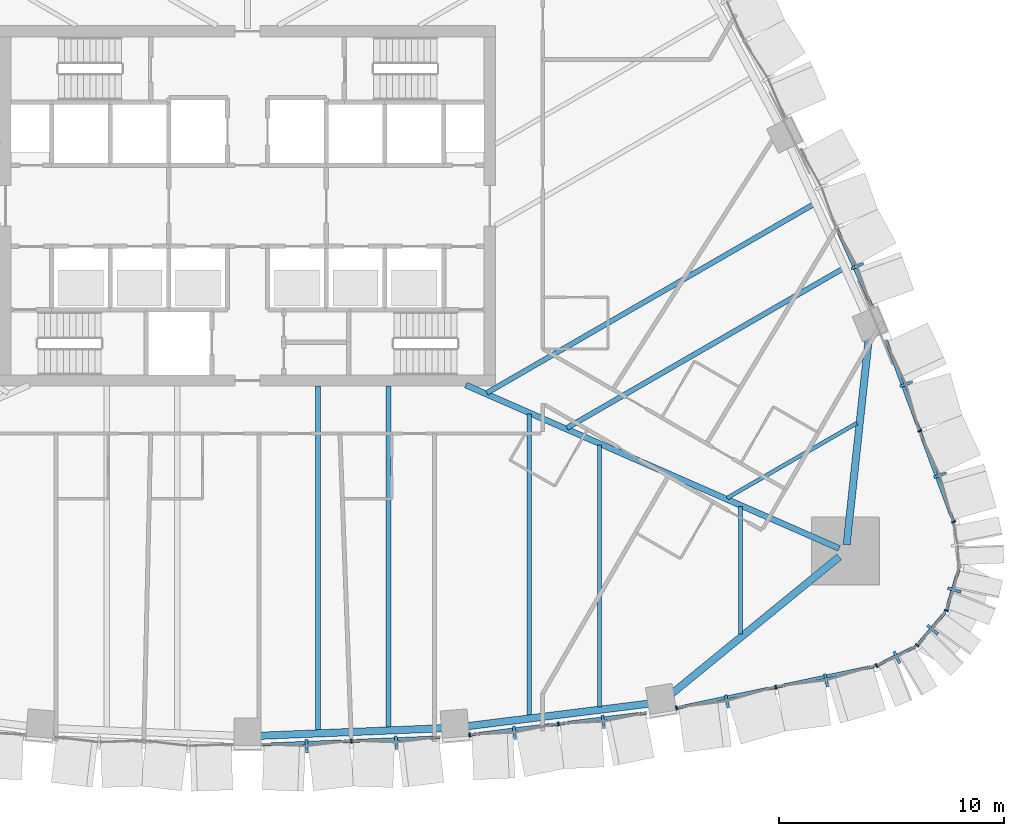
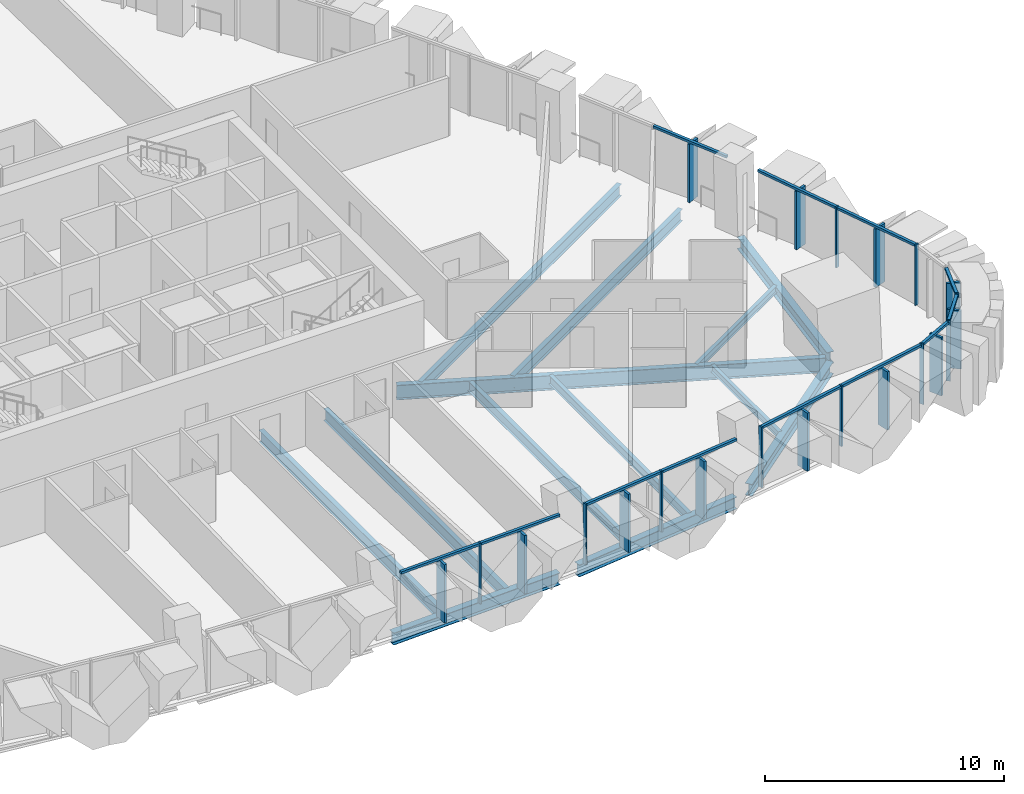
# One storey, part 4 of 23: 34 members, 13 beams, 8 elements without a shape of their own.
"""IFC4 building model written with IfcOpenShell, lengths in metres."""

from ifc_helpers import new_model, si_unit, direction, frame, origin, origin_2d, place, context, subcontext, project, spatial, rectangle, i_section, extrude, material, layer, layer_set, material_profile, profile_set, type_object, element, aggregate, save


model = new_model("IFC4")

# Units and contexts
model_context = context("Model", 3, precision=1e-05, world=origin(), true_north=direction((0.0, 1.0)))
body_context = subcontext(model_context, "Body", "Model", "MODEL_VIEW")
ifc_project = project(units=[si_unit("LENGTHUNIT", "METRE"), si_unit("AREAUNIT", "SQUARE_METRE"), si_unit("VOLUMEUNIT", "CUBIC_METRE"), si_unit("PLANEANGLEUNIT", "RADIAN"), si_unit("MASSUNIT", "GRAM", prefix="KILO")], contexts=[model_context])

# Site, building, storey
site_placement = place(None, origin())
site = spatial("IfcSite", under=ifc_project, at=site_placement, CompositionType="ELEMENT")
building_placement = place(site_placement, origin())
building = spatial("IfcBuilding", under=site, at=building_placement, Name="Sierra Prisma Convention Tower", CompositionType="ELEMENT")
storey_placement = place(building_placement, frame((0.0, 0.0, 70.199951171875)))
storey = spatial("IfcBuildingStorey", under=building, at=storey_placement, Name="L13", CompositionType="ELEMENT", Elevation=70.199951171875)

# Curtain wall, members
ifc_material_1 = material(Name="Aluminium and glass curtain wall", Category="aluminium")
ifc_layer = layer(ifc_material_1, 0.179931640625)
ifc_layer_set = layer_set([ifc_layer], Name="CW-2 Faceted crystal curtain wall")
curtain_wall_type = type_object("IfcCurtainWallType", Name="CW-2 Faceted crystal curtain wall", PredefinedType="NOTDEFINED", material=ifc_layer_set)
curtain_wall_1_placement = place(storey_placement, origin())
curtain_wall_1 = element("IfcCurtainWall", 1, at=curtain_wall_1_placement, inside=storey, type_object=curtain_wall_type, Name="CW-2 S4 L13", PredefinedType="NOTDEFINED")
ifc_material_2 = material(Name="Aluminium 6063-T6 bronze anodised", Category="aluminium")
ifc_material_profile_1 = material_profile(ifc_material_2, rectangle(XDim=0.1201171875, YDim=0.60009765625, at=origin_2d()), Name="ALU RIDGE BLADE 120x600")
ifc_profile_set_1 = profile_set([ifc_material_profile_1], Name="Aluminium 6063-T6 bronze anodised")
member_type_1 = type_object("IfcMemberType", Name="CW hip bronze", PredefinedType="MULLION", material=ifc_profile_set_1)
member_1_placement = place(storey_placement, frame((2.625244140625, -23.990478515625, 0.0), z_axis=(0.0, 0.0, 1.0), x_axis=(0.999158035342, 0.041027069244, 0.0)))
member_1 = element("IfcMember", 2, at=member_1_placement, type_object=member_type_1, Name="CW-2 ridge S4.1", PredefinedType="MULLION", context=body_context, shape_type="SweptSolid", body=[
    extrude(rectangle(XDim=0.1201171875, YDim=0.60009765625, at=origin_2d()), origin(), (0.0, 0.0, 1.0), 2.97998046875),
])
member_2_placement = place(storey_placement, frame((6.59423828125, -23.827392578125, 0.0), z_axis=(0.0, 0.0, 1.0), x_axis=(0.999158035342, 0.041027069244, 0.0)))
member_2 = element("IfcMember", 3, at=member_2_placement, type_object=member_type_1, Name="CW-2 ridge S4.2", PredefinedType="MULLION", context=body_context, shape_type="SweptSolid", body=[
    extrude(rectangle(XDim=0.1201171875, YDim=0.60009765625, at=origin_2d()), origin(), (0.0, 0.0, 1.0), 2.97998046875),
])

curtain_wall_2_placement = place(storey_placement, origin())
curtain_wall_2 = element("IfcCurtainWall", 4, at=curtain_wall_2_placement, inside=storey, type_object=curtain_wall_type, Name="CW-2 S5 L13", PredefinedType="NOTDEFINED")
member_3_placement = place(storey_placement, frame((11.845703125, -23.39453125, 0.0), z_axis=(0.0, 0.0, 1.0), x_axis=(0.992418741832, 0.122902566531, 0.0)))
member_3 = element("IfcMember", 5, at=member_3_placement, type_object=member_type_1, Name="CW-2 ridge S5.1", PredefinedType="MULLION", context=body_context, shape_type="SweptSolid", body=[
    extrude(rectangle(XDim=0.1201171875, YDim=0.60009765625, at=origin_2d()), origin(), (0.0, 0.0, 1.0), 2.97998046875),
])
member_4_placement = place(storey_placement, frame((15.7900390625, -22.906005859375, 0.0), z_axis=(0.0, 0.0, 1.0), x_axis=(0.992418741832, 0.122902566531, 0.0)))
member_4 = element("IfcMember", 6, at=member_4_placement, type_object=member_type_1, Name="CW-2 ridge S5.2", PredefinedType="MULLION", context=body_context, shape_type="SweptSolid", body=[
    extrude(rectangle(XDim=0.1201171875, YDim=0.60009765625, at=origin_2d()), origin(), (0.0, 0.0, 1.0), 2.97998046875),
])

curtain_wall_3_placement = place(storey_placement, origin())
curtain_wall_3 = element("IfcCurtainWall", 7, at=curtain_wall_3_placement, inside=storey, type_object=curtain_wall_type, Name="CW-2 S6 L13", PredefinedType="NOTDEFINED")
member_5_placement = place(storey_placement, frame((21.281494140625, -21.996826171875, 0.0), z_axis=(0.0, 0.0, 1.0), x_axis=(0.978513494972, 0.20618278337, 0.0)))
member_5 = element("IfcMember", 8, at=member_5_placement, type_object=member_type_1, Name="CW-2 ridge S6.1", PredefinedType="MULLION", context=body_context, shape_type="SweptSolid", body=[
    extrude(rectangle(XDim=0.1201171875, YDim=0.60009765625, at=origin_2d()), origin(), (0.0, 0.0, 1.0), 2.97998046875),
])
member_6_placement = place(storey_placement, frame((25.689208984375, -21.068115234375, 0.0), z_axis=(0.0, 0.0, 1.0), x_axis=(0.978513494972, 0.20618278337, 0.0)))
member_6 = element("IfcMember", 9, at=member_6_placement, type_object=member_type_1, Name="CW-2 ridge S6.2", PredefinedType="MULLION", context=body_context, shape_type="SweptSolid", body=[
    extrude(rectangle(XDim=0.1201171875, YDim=0.60009765625, at=origin_2d()), origin(), (0.0, 0.0, 1.0), 2.97998046875),
])

# Curtain wall, member
curtain_wall_4_placement = place(storey_placement, origin())
curtain_wall_4 = element("IfcCurtainWall", 10, at=curtain_wall_4_placement, inside=storey, type_object=curtain_wall_type, Name="CW-2 SE1 L13", PredefinedType="NOTDEFINED")
member_7_placement = place(storey_placement, frame((28.829833984375, -20.04736328125, 0.0), z_axis=(0.0, 0.0, 1.0), x_axis=(0.897676892997, 0.440654281471, 0.0)))
member_7 = element("IfcMember", 11, at=member_7_placement, type_object=member_type_1, Name="CW-2 ridge SE1.1", PredefinedType="MULLION", context=body_context, shape_type="SweptSolid", body=[
    extrude(rectangle(XDim=0.1201171875, YDim=0.60009765625, at=origin_2d()), origin(), (0.0, 0.0, 1.0), 2.97998046875),
])

curtain_wall_5_placement = place(storey_placement, origin())
curtain_wall_5 = element("IfcCurtainWall", 12, at=curtain_wall_5_placement, inside=storey, type_object=curtain_wall_type, Name="CW-2 SE2 L13", PredefinedType="NOTDEFINED")
member_8_placement = place(storey_placement, frame((30.41259765625, -18.814697265625, 0.0), z_axis=(0.0, 0.0, 1.0), x_axis=(0.647120431061, 0.762387793517, 0.0)))
member_8 = element("IfcMember", 13, at=member_8_placement, type_object=member_type_1, Name="CW-2 ridge SE2.1", PredefinedType="MULLION", context=body_context, shape_type="SweptSolid", body=[
    extrude(rectangle(XDim=0.1201171875, YDim=0.60009765625, at=origin_2d()), origin(), (0.0, 0.0, 1.0), 2.97998046875),
])

curtain_wall_6_placement = place(storey_placement, origin())
curtain_wall_6 = element("IfcCurtainWall", 14, at=curtain_wall_6_placement, inside=storey, type_object=curtain_wall_type, Name="CW-2 SE3 L13", PredefinedType="NOTDEFINED")
member_9_placement = place(storey_placement, frame((31.371826171875, -17.052490234375, 0.0), z_axis=(0.0, 0.0, 1.0), x_axis=(0.288953669799, 0.957343082029, 0.0)))
member_9 = element("IfcMember", 15, at=member_9_placement, type_object=member_type_1, Name="CW-2 ridge SE3.1", PredefinedType="MULLION", context=body_context, shape_type="SweptSolid", body=[
    extrude(rectangle(XDim=0.1201171875, YDim=0.60009765625, at=origin_2d()), origin(), (0.0, 0.0, 1.0), 2.97998046875),
])

# Curtain wall, members
curtain_wall_7_placement = place(storey_placement, origin())
curtain_wall_7 = element("IfcCurtainWall", 16, at=curtain_wall_7_placement, inside=storey, type_object=curtain_wall_type, Name="CW-2 NE1 L13", PredefinedType="NOTDEFINED")
member_10_placement = place(storey_placement, frame((30.748779296875, -11.948974609375, 0.0), z_axis=(0.0, 0.0, 1.0), x_axis=(-0.348650145071, 0.937252941496, 0.0)))
member_10 = element("IfcMember", 17, at=member_10_placement, type_object=member_type_1, Name="CW-2 ridge NE1.1", PredefinedType="MULLION", context=body_context, shape_type="SweptSolid", body=[
    extrude(rectangle(XDim=0.1201171875, YDim=0.60009765625, at=origin_2d()), origin(), (0.0, 0.0, 1.0), 2.97998046875),
])
member_11_placement = place(storey_placement, frame((29.24560546875, -7.90869140625, 0.0), z_axis=(0.0, 0.0, 1.0), x_axis=(-0.348650145071, 0.937252941496, 0.0)))
member_11 = element("IfcMember", 18, at=member_11_placement, type_object=member_type_1, Name="CW-2 ridge NE1.2", PredefinedType="MULLION", context=body_context, shape_type="SweptSolid", body=[
    extrude(rectangle(XDim=0.1201171875, YDim=0.60009765625, at=origin_2d()), origin(), (0.0, 0.0, 1.0), 2.97998046875),
])

# Curtain wall, member
curtain_wall_8_placement = place(storey_placement, origin())
curtain_wall_8 = element("IfcCurtainWall", 19, at=curtain_wall_8_placement, inside=storey, type_object=curtain_wall_type, Name="CW-2 NE2 L13", PredefinedType="NOTDEFINED")
member_12_placement = place(storey_placement, frame((27.07275390625, -2.668212890625, 0.0), z_axis=(0.0, 0.0, 1.0), x_axis=(-0.410184231176, 0.912002684478, 0.0)))
member_12 = element("IfcMember", 20, at=member_12_placement, type_object=member_type_1, Name="CW-2 ridge NE2.1", PredefinedType="MULLION", context=body_context, shape_type="SweptSolid", body=[
    extrude(rectangle(XDim=0.1201171875, YDim=0.60009765625, at=origin_2d()), origin(), (0.0, 0.0, 1.0), 2.97998046875),
])

# Member
ifc_material_3 = material(Name="Aluminium 6063-T6 bronze anodised", Category="aluminium")
ifc_material_profile_2 = material_profile(ifc_material_3, rectangle(XDim=0.179931640625, YDim=0.070068359375, at=origin_2d()), Name="ALU MULLION 70x180")
ifc_profile_set_2 = profile_set([ifc_material_profile_2], Name="Aluminium 6063-T6 bronze anodised")
member_type_2 = type_object("IfcMemberType", Name="CW mullion bronze", PredefinedType="MULLION", material=ifc_profile_set_2)
member_13_placement = place(storey_placement, frame((4.603515625, -23.755615234375, 0.0), z_axis=(0.0, 0.0, 1.0), x_axis=(-0.041027069244, 0.999158035342, 0.0)))
member_13 = element("IfcMember", 21, at=member_13_placement, type_object=member_type_2, Name="CW-1 mullion S4.2", PredefinedType="MULLION", context=body_context, shape_type="SweptSolid", body=[
    extrude(rectangle(XDim=0.179931640625, YDim=0.070068359375, at=origin_2d()), origin(), (0.0, 0.0, 1.0), 3.10009765625),
])

member_14_placement = place(storey_placement, frame((9.854736328125, -23.486328125, 0.0), z_axis=(0.0, 0.0, 1.0), x_axis=(-0.122902566531, 0.992418741832, 0.0)))
member_14 = element("IfcMember", 22, at=member_14_placement, type_object=member_type_2, Name="CW-1 mullion S5.1", PredefinedType="MULLION", context=body_context, shape_type="SweptSolid", body=[
    extrude(rectangle(XDim=0.179931640625, YDim=0.070068359375, at=origin_2d()), origin(), (0.0, 0.0, 1.0), 3.10009765625),
])

member_15_placement = place(storey_placement, frame((13.799072265625, -22.997802734375, 0.0), z_axis=(0.0, 0.0, 1.0), x_axis=(-0.122902566531, 0.992418741832, 0.0)))
member_15 = element("IfcMember", 23, at=member_15_placement, type_object=member_type_2, Name="CW-1 mullion S5.2", PredefinedType="MULLION", context=body_context, shape_type="SweptSolid", body=[
    extrude(rectangle(XDim=0.179931640625, YDim=0.070068359375, at=origin_2d()), origin(), (0.0, 0.0, 1.0), 3.10009765625),
])

member_16_placement = place(storey_placement, frame((19.041748046875, -22.29052734375, 0.0), z_axis=(0.0, 0.0, 1.0), x_axis=(-0.20618278337, 0.978513494972, 0.0)))
member_16 = element("IfcMember", 24, at=member_16_placement, type_object=member_type_2, Name="CW-1 mullion S6.1", PredefinedType="MULLION", context=body_context, shape_type="SweptSolid", body=[
    extrude(rectangle(XDim=0.179931640625, YDim=0.070068359375, at=origin_2d()), origin(), (0.0, 0.0, 1.0), 3.10009765625),
])

member_17_placement = place(storey_placement, frame((23.449462890625, -21.36181640625, 0.0), z_axis=(0.0, 0.0, 1.0), x_axis=(-0.20618278337, 0.978513494972, 0.0)))
member_17 = element("IfcMember", 25, at=member_17_placement, type_object=member_type_2, Name="CW-1 mullion S6.2", PredefinedType="MULLION", context=body_context, shape_type="SweptSolid", body=[
    extrude(rectangle(XDim=0.179931640625, YDim=0.070068359375, at=origin_2d()), origin(), (0.0, 0.0, 1.0), 3.10009765625),
])

member_18_placement = place(storey_placement, frame((27.922607421875, -20.410400390625, 0.0), z_axis=(0.0, 0.0, 1.0), x_axis=(-0.440654281471, 0.897676892997, 0.0)))
member_18 = element("IfcMember", 26, at=member_18_placement, type_object=member_type_2, Name="CW-1 mullion SE1.1", PredefinedType="MULLION", context=body_context, shape_type="SweptSolid", body=[
    extrude(rectangle(XDim=0.179931640625, YDim=0.070068359375, at=origin_2d()), origin(), (0.0, 0.0, 1.0), 3.10009765625),
])

member_19_placement = place(storey_placement, frame((29.725830078125, -19.509765625, 0.0), z_axis=(0.0, 0.0, 1.0), x_axis=(-0.762387793517, 0.647120431061, 0.0)))
member_19 = element("IfcMember", 27, at=member_19_placement, type_object=member_type_2, Name="CW-1 mullion SE2.1", PredefinedType="MULLION", context=body_context, shape_type="SweptSolid", body=[
    extrude(rectangle(XDim=0.179931640625, YDim=0.070068359375, at=origin_2d()), origin(), (0.0, 0.0, 1.0), 3.10009765625),
])

member_20_placement = place(storey_placement, frame((31.01953125, -17.9638671875, 0.0), z_axis=(0.0, 0.0, 1.0), x_axis=(-0.957343082029, 0.288953669799, 0.0)))
member_20 = element("IfcMember", 28, at=member_20_placement, type_object=member_type_2, Name="CW-1 mullion SE3.1", PredefinedType="MULLION", context=body_context, shape_type="SweptSolid", body=[
    extrude(rectangle(XDim=0.179931640625, YDim=0.070068359375, at=origin_2d()), origin(), (0.0, 0.0, 1.0), 3.10009765625),
])

member_21_placement = place(storey_placement, frame((31.34375, -14.027587890625, 0.0), z_axis=(0.0, 0.0, 1.0), x_axis=(-0.937252941496, -0.348650145071, 0.0)))
member_21 = element("IfcMember", 29, at=member_21_placement, type_object=member_type_2, Name="CW-1 mullion NE1.1", PredefinedType="MULLION", context=body_context, shape_type="SweptSolid", body=[
    extrude(rectangle(XDim=0.179931640625, YDim=0.070068359375, at=origin_2d()), origin(), (0.0, 0.0, 1.0), 3.10009765625),
])

member_22_placement = place(storey_placement, frame((29.8408203125, -9.987060546875, 0.0), z_axis=(0.0, 0.0, 1.0), x_axis=(-0.937252941496, -0.348650145071, 0.0)))
member_22 = element("IfcMember", 30, at=member_22_placement, type_object=member_type_2, Name="CW-1 mullion NE1.2", PredefinedType="MULLION", context=body_context, shape_type="SweptSolid", body=[
    extrude(rectangle(XDim=0.179931640625, YDim=0.070068359375, at=origin_2d()), origin(), (0.0, 0.0, 1.0), 3.10009765625),
])

ifc_material_4 = material(Name="Aluminium 6063-T6 bronze anodised", Category="aluminium")
ifc_material_profile_3 = material_profile(ifc_material_4, rectangle(XDim=0.139892578125, YDim=0.1201171875, at=origin_2d()), Name="ALU TRANSOM 120x140")
ifc_profile_set_3 = profile_set([ifc_material_profile_3], Name="Aluminium 6063-T6 bronze anodised")
member_type_3 = type_object("IfcMemberType", Name="CW transom bronze", PredefinedType="USERDEFINED", material=ifc_profile_set_3)
member_23_placement = place(storey_placement, frame((0.66943359375, -23.9169921875, 3.0400390625), z_axis=(0.999159969079, 0.040979948638, 0.0), x_axis=(-0.040979948638, 0.999159969079, 0.0)))
member_23 = element("IfcMember", 31, at=member_23_placement, type_object=member_type_3, Name="CW-1 transom S4.1", ObjectType="TRANSOM", PredefinedType="USERDEFINED", context=body_context, shape_type="SweptSolid", body=[
    extrude(rectangle(XDim=0.139892578125, YDim=0.1201171875, at=origin_2d()), origin(), (0.0, 0.0, 1.0), 3.902099609375),
])

member_24_placement = place(storey_placement, frame((4.638427734375, -23.754150390625, 3.0400390625), z_axis=(0.999157405384, 0.041042408136, 0.0), x_axis=(-0.041042408136, 0.999157405384, 0.0)))
member_24 = element("IfcMember", 32, at=member_24_placement, type_object=member_type_3, Name="CW-1 transom S4.2", ObjectType="TRANSOM", PredefinedType="USERDEFINED", context=body_context, shape_type="SweptSolid", body=[
    extrude(rectangle(XDim=0.139892578125, YDim=0.1201171875, at=origin_2d()), origin(), (0.0, 0.0, 1.0), 3.902099609375),
])

aggregate(curtain_wall_1, [member_13, member_23, member_1, member_24, member_2])

member_25_placement = place(storey_placement, frame((9.8896484375, -23.48193359375, 3.0400390625), z_axis=(0.992421515352, 0.122880168725, 0.0), x_axis=(-0.122880168725, 0.992421515352, 0.0)))
member_25 = element("IfcMember", 33, at=member_25_placement, type_object=member_type_3, Name="CW-1 transom S5.1", ObjectType="TRANSOM", PredefinedType="USERDEFINED", context=body_context, shape_type="SweptSolid", body=[
    extrude(rectangle(XDim=0.139892578125, YDim=0.1201171875, at=origin_2d()), origin(), (0.0, 0.0, 1.0), 3.904052734375),
])

member_26_placement = place(storey_placement, frame((13.833740234375, -22.993408203125, 3.0400390625), z_axis=(0.992422459505, 0.122872543187, 0.0), x_axis=(-0.122872543187, 0.992422459505, 0.0)))
member_26 = element("IfcMember", 34, at=member_26_placement, type_object=member_type_3, Name="CW-1 transom S5.2", ObjectType="TRANSOM", PredefinedType="USERDEFINED", context=body_context, shape_type="SweptSolid", body=[
    extrude(rectangle(XDim=0.139892578125, YDim=0.1201171875, at=origin_2d()), origin(), (0.0, 0.0, 1.0), 3.904296875),
])

aggregate(curtain_wall_2, [member_14, member_15, member_25, member_3, member_26, member_4])

member_27_placement = place(storey_placement, frame((19.075927734375, -22.283203125, 3.0400390625), z_axis=(0.978512967914, 0.206185284692, 0.0), x_axis=(-0.206185284692, 0.978512967914, 0.0)))
member_27 = element("IfcMember", 35, at=member_27_placement, type_object=member_type_3, Name="CW-1 transom S6.1", ObjectType="TRANSOM", PredefinedType="USERDEFINED", context=body_context, shape_type="SweptSolid", body=[
    extrude(rectangle(XDim=0.139892578125, YDim=0.1201171875, at=origin_2d()), origin(), (0.0, 0.0, 1.0), 4.434326171875),
])

member_28_placement = place(storey_placement, frame((23.483642578125, -21.3544921875, 3.0400390625), z_axis=(0.978512967914, 0.206185284692, 0.0), x_axis=(-0.206185284692, 0.978512967914, 0.0)))
member_28 = element("IfcMember", 36, at=member_28_placement, type_object=member_type_3, Name="CW-1 transom S6.2", ObjectType="TRANSOM", PredefinedType="USERDEFINED", context=body_context, shape_type="SweptSolid", body=[
    extrude(rectangle(XDim=0.139892578125, YDim=0.1201171875, at=origin_2d()), origin(), (0.0, 0.0, 1.0), 4.434326171875),
])

aggregate(curtain_wall_3, [member_16, member_17, member_27, member_5, member_28, member_6])

member_29_placement = place(storey_placement, frame((27.9541015625, -20.39501953125, 3.0400390625), z_axis=(0.89765265429, 0.440703655812, 0.0), x_axis=(-0.440703655812, 0.89765265429, 0.0)))
member_29 = element("IfcMember", 37, at=member_29_placement, type_object=member_type_3, Name="CW-1 transom SE1.1", ObjectType="TRANSOM", PredefinedType="USERDEFINED", context=body_context, shape_type="SweptSolid", body=[
    extrude(rectangle(XDim=0.139892578125, YDim=0.1201171875, at=origin_2d()), origin(), (0.0, 0.0, 1.0), 1.878662109375),
])

aggregate(curtain_wall_4, [member_18, member_29, member_7])

member_30_placement = place(storey_placement, frame((29.74853515625, -19.48291015625, 3.0400390625), z_axis=(0.647112541311, 0.762394490325, 0.0), x_axis=(-0.762394490325, 0.647112541311, 0.0)))
member_30 = element("IfcMember", 38, at=member_30_placement, type_object=member_type_3, Name="CW-1 transom SE2.1", ObjectType="TRANSOM", PredefinedType="USERDEFINED", context=body_context, shape_type="SweptSolid", body=[
    extrude(rectangle(XDim=0.139892578125, YDim=0.1201171875, at=origin_2d()), origin(), (0.0, 0.0, 1.0), 1.87841796875),
])

aggregate(curtain_wall_5, [member_19, member_30, member_8])

member_31_placement = place(storey_placement, frame((31.02978515625, -17.930419921875, 3.0400390625), z_axis=(0.288921436027, 0.957352810516, 0.0), x_axis=(-0.957352810516, 0.288921436027, 0.0)))
member_31 = element("IfcMember", 39, at=member_31_placement, type_object=member_type_3, Name="CW-1 transom SE3.1", ObjectType="TRANSOM", PredefinedType="USERDEFINED", context=body_context, shape_type="SweptSolid", body=[
    extrude(rectangle(XDim=0.139892578125, YDim=0.1201171875, at=origin_2d()), origin(), (0.0, 0.0, 1.0), 1.87841796875),
])

aggregate(curtain_wall_6, [member_20, member_31, member_9])

member_32_placement = place(storey_placement, frame((31.33154296875, -13.99462890625, 3.0400390625), z_axis=(-0.348630224707, 0.937260351461, 0.0), x_axis=(-0.937260351461, -0.348630224707, 0.0)))
member_32 = element("IfcMember", 40, at=member_32_placement, type_object=member_type_3, Name="CW-1 transom NE1.1", ObjectType="TRANSOM", PredefinedType="USERDEFINED", context=body_context, shape_type="SweptSolid", body=[
    extrude(rectangle(XDim=0.139892578125, YDim=0.1201171875, at=origin_2d()), origin(), (0.0, 0.0, 1.0), 4.240966796875),
])

member_33_placement = place(storey_placement, frame((29.82861328125, -9.9541015625, 3.0400390625), z_axis=(-0.348680793965, 0.937241539796, 0.0), x_axis=(-0.937241539796, -0.348680793965, 0.0)))
member_33 = element("IfcMember", 41, at=member_33_placement, type_object=member_type_3, Name="CW-1 transom NE1.2", ObjectType="TRANSOM", PredefinedType="USERDEFINED", context=body_context, shape_type="SweptSolid", body=[
    extrude(rectangle(XDim=0.139892578125, YDim=0.1201171875, at=origin_2d()), origin(), (0.0, 0.0, 1.0), 4.240966796875),
])

aggregate(curtain_wall_7, [member_21, member_22, member_32, member_10, member_33, member_11])

member_34_placement = place(storey_placement, frame((27.713134765625, -4.455078125, 3.0400390625), z_axis=(-0.410144719745, 0.912020454192, 0.0), x_axis=(-0.912020454192, -0.410144719745, 0.0)))
member_34 = element("IfcMember", 42, at=member_34_placement, type_object=member_type_3, Name="CW-1 transom NE2.1", ObjectType="TRANSOM", PredefinedType="USERDEFINED", context=body_context, shape_type="SweptSolid", body=[
    extrude(rectangle(XDim=0.139892578125, YDim=0.1201171875, at=origin_2d()), origin(), (0.0, 0.0, 1.0), 3.78466796875),
])

aggregate(curtain_wall_8, [member_34, member_12])

# Beams
ifc_material_5 = material(Name="Steel ASTM A992 Gr 50", Category="steel")
ifc_material_profile_4 = material_profile(ifc_material_5, i_section(OverallWidth=0.172119140625, OverallDepth=0.35791015625, WebThickness=0.0078125, FlangeThickness=0.01318359375, at=origin_2d()), Name="W360x57")
ifc_profile_set_4 = profile_set([ifc_material_profile_4], Name="Steel ASTM A992 Gr 50")
beam_type_1 = type_object("IfcBeamType", Name="Floor joist W360x57", PredefinedType="JOIST", material=ifc_profile_set_4)
beam_1_placement = place(storey_placement, frame((21.875244140625, -19.00537109375, -0.328857421875), z_axis=(0.0, 1.0, 0.0), x_axis=(-1.0, 0.0, 0.0)))
element("IfcBeam", 43, at=beam_1_placement, inside=storey, type_object=beam_type_1, Name="Floor joist L13 S16", PredefinedType="JOIST", context=body_context, shape_type="SweptSolid", body=[
    extrude(i_section(OverallWidth=0.172119140625, OverallDepth=0.35791015625, WebThickness=0.0078125, FlangeThickness=0.01318359375, at=origin_2d()), origin(), (0.0, 0.0, 1.0), 5.662841796875),
])
beam_2_placement = place(storey_placement, frame((27.05078125, -9.641357421875, -0.328857421875), z_axis=(-0.866020043079, -0.5000092849, 0.0), x_axis=(0.5000092849, -0.866020043079, 0.0)))
element("IfcBeam", 44, at=beam_2_placement, inside=storey, type_object=beam_type_1, Name="Floor joist L13 NE02", PredefinedType="JOIST", context=body_context, shape_type="SweptSolid", body=[
    extrude(i_section(OverallWidth=0.172119140625, OverallDepth=0.35791015625, WebThickness=0.0078125, FlangeThickness=0.01318359375, at=origin_2d()), origin(), (0.0, 0.0, 1.0), 6.655517578125),
])
ifc_material_6 = material(Name="Steel ASTM A992 Gr 50", Category="steel")
ifc_material_profile_5 = material_profile(ifc_material_6, i_section(OverallWidth=0.18994140625, OverallDepth=0.45703125, WebThickness=0.009033203125, FlangeThickness=0.014404296875, at=origin_2d()), Name="W460x74")
ifc_profile_set_5 = profile_set([ifc_material_profile_5], Name="Steel ASTM A992 Gr 50")
beam_type_2 = type_object("IfcBeamType", Name="Floor joist W460x74", PredefinedType="JOIST", material=ifc_profile_set_5)
beam_3_placement = place(storey_placement, frame((15.625244140625, -22.253662109375, -0.37841796875), z_axis=(0.0, 1.0, 0.0), x_axis=(-1.0, 0.0, 0.0)))
element("IfcBeam", 45, at=beam_3_placement, inside=storey, type_object=beam_type_2, Name="Floor joist L13 S14", PredefinedType="JOIST", context=body_context, shape_type="SweptSolid", body=[
    extrude(i_section(OverallWidth=0.18994140625, OverallDepth=0.45703125, WebThickness=0.009033203125, FlangeThickness=0.014404296875, at=origin_2d()), origin(), (0.0, 0.0, 1.0), 11.646484375),
])
ifc_material_7 = material(Name="Steel ASTM A992 Gr 50", Category="steel")
ifc_material_profile_6 = material_profile(ifc_material_7, i_section(OverallWidth=0.208984375, OverallDepth=0.532958984375, WebThickness=0.01025390625, FlangeThickness=0.015625, at=origin_2d()), Name="W530x92")
ifc_profile_set_6 = profile_set([ifc_material_profile_6], Name="Steel ASTM A992 Gr 50")
beam_type_3 = type_object("IfcBeamType", Name="Floor joist W530x92", PredefinedType="JOIST", material=ifc_profile_set_6)
beam_4_placement = place(storey_placement, frame((12.5, -22.64208984375, -0.41650390625), z_axis=(0.0, 1.0, 0.0), x_axis=(-1.0, 0.0, 0.0)))
element("IfcBeam", 46, at=beam_4_placement, inside=storey, type_object=beam_type_3, Name="Floor joist L13 S13", PredefinedType="JOIST", context=body_context, shape_type="SweptSolid", body=[
    extrude(i_section(OverallWidth=0.208984375, OverallDepth=0.532958984375, WebThickness=0.01025390625, FlangeThickness=0.015625, at=origin_2d()), origin(), (0.0, 0.0, 1.0), 13.402587890625),
])
ifc_material_8 = material(Name="Steel ASTM A992 Gr 50", Category="steel")
ifc_material_profile_7 = material_profile(ifc_material_8, i_section(OverallWidth=0.22802734375, OverallDepth=0.60302734375, WebThickness=0.010498046875, FlangeThickness=0.014892578125, at=origin_2d()), Name="W610x101")
ifc_profile_set_7 = profile_set([ifc_material_profile_7], Name="Steel ASTM A992 Gr 50")
beam_type_4 = type_object("IfcBeamType", Name="Floor joist W610x101", PredefinedType="JOIST", material=ifc_profile_set_7)
beam_5_placement = place(storey_placement, frame((3.125, -23.30322265625, -0.451416015625), z_axis=(0.0, 1.0, 0.0), x_axis=(-1.0, 0.0, 0.0)))
element("IfcBeam", 47, at=beam_5_placement, inside=storey, type_object=beam_type_4, Name="Floor joist L13 S10", PredefinedType="JOIST", context=body_context, shape_type="SweptSolid", body=[
    extrude(i_section(OverallWidth=0.22802734375, OverallDepth=0.60302734375, WebThickness=0.010498046875, FlangeThickness=0.014892578125, at=origin_2d()), origin(), (0.0, 0.0, 1.0), 15.30322265625),
])
beam_6_placement = place(storey_placement, frame((6.25, -23.17431640625, -0.451416015625), z_axis=(0.0, 1.0, 0.0), x_axis=(-1.0, 0.0, 0.0)))
element("IfcBeam", 48, at=beam_6_placement, inside=storey, type_object=beam_type_4, Name="Floor joist L13 S11", PredefinedType="JOIST", context=body_context, shape_type="SweptSolid", body=[
    extrude(i_section(OverallWidth=0.22802734375, OverallDepth=0.60302734375, WebThickness=0.010498046875, FlangeThickness=0.014892578125, at=origin_2d()), origin(), (0.0, 0.0, 1.0), 15.17431640625),
])
beam_7_placement = place(storey_placement, frame((26.408935546875, -2.795166015625, -0.451416015625), z_axis=(-0.866029579245, -0.49999276782, 0.0), x_axis=(0.49999276782, -0.866029579245, 0.0)))
element("IfcBeam", 49, at=beam_7_placement, inside=storey, type_object=beam_type_4, Name="Floor joist L13 NE04", PredefinedType="JOIST", context=body_context, shape_type="SweptSolid", body=[
    extrude(i_section(OverallWidth=0.22802734375, OverallDepth=0.60302734375, WebThickness=0.010498046875, FlangeThickness=0.014892578125, at=origin_2d()), origin(), (0.0, 0.0, 1.0), 14.124755859375),
])
beam_8_placement = place(storey_placement, frame((25.11572265625, 0.066650390625, -0.451416015625), z_axis=(-0.866029876634, -0.499992252716, 0.0), x_axis=(0.499992252716, -0.866029876634, 0.0)))
element("IfcBeam", 50, at=beam_8_placement, inside=storey, type_object=beam_type_4, Name="Floor joist L13 NE05", PredefinedType="JOIST", context=body_context, shape_type="SweptSolid", body=[
    extrude(i_section(OverallWidth=0.22802734375, OverallDepth=0.60302734375, WebThickness=0.010498046875, FlangeThickness=0.014892578125, at=origin_2d()), origin(), (0.0, 0.0, 1.0), 16.736572265625),
])
ifc_material_9 = material(Name="Steel ASTM A992 Gr 50", Category="steel")
ifc_material_profile_8 = material_profile(ifc_material_9, i_section(OverallWidth=0.264892578125, OverallDepth=0.7529296875, WebThickness=0.01318359375, FlangeThickness=0.01708984375, at=origin_2d()), Name="W760x147")
ifc_profile_set_8 = profile_set([ifc_material_profile_8], Name="Steel ASTM A992 Gr 50")
beam_type_5 = type_object("IfcBeamType", Name="Radial girder W760x147", PredefinedType="BEAM", material=ifc_profile_set_8)
beam_9_placement = place(storey_placement, frame((26.2626953125, -15.20458984375, -0.5263671875), z_axis=(-0.916112416701, 0.400921488531, 0.0), x_axis=(-0.400921488531, -0.916112416701, 0.0)))
element("IfcBeam", 51, at=beam_9_placement, inside=storey, type_object=beam_type_5, Name="Radial girder L13 SE", PredefinedType="BEAM", context=body_context, shape_type="SweptSolid", body=[
    extrude(i_section(OverallWidth=0.264892578125, OverallDepth=0.7529296875, WebThickness=0.01318359375, FlangeThickness=0.01708984375, at=origin_2d()), origin(), (0.0, 0.0, 1.0), 18.090087890625),
])
ifc_material_10 = material(Name="Steel ASTM A992 Gr 50", Category="steel")
ifc_material_profile_9 = material_profile(ifc_material_10, i_section(OverallWidth=0.324951171875, OverallDepth=0.615966796875, WebThickness=0.013916015625, FlangeThickness=0.021484375, at=origin_2d()), Name="W610x174")
ifc_profile_set_9 = profile_set([ifc_material_profile_9], Name="Steel ASTM A992 Gr 50")
beam_type_6 = type_object("IfcBeamType", Name="Spandrel beam W610x174", PredefinedType="BEAM", material=ifc_profile_set_9)
beam_10_placement = place(storey_placement, frame((0.47998046875, -23.52490234375, -0.4580078125), z_axis=(0.999151987617, 0.041174089427, 0.0), x_axis=(-0.041174089427, 0.999151987617, 0.0)))
element("IfcBeam", 52, at=beam_10_placement, inside=storey, type_object=beam_type_6, Name="Spandrel L13-04", PredefinedType="BEAM", context=body_context, shape_type="SweptSolid", body=[
    extrude(i_section(OverallWidth=0.324951171875, OverallDepth=0.615966796875, WebThickness=0.013916015625, FlangeThickness=0.021484375, at=origin_2d()), origin(), (0.0, 0.0, 1.0), 8.25390625),
])
beam_11_placement = place(storey_placement, frame((9.68359375, -23.10595703125, -0.4580078125), z_axis=(0.992361157939, 0.123366657625, 0.0), x_axis=(-0.123366657625, 0.992361157939, 0.0)))
element("IfcBeam", 53, at=beam_11_placement, inside=storey, type_object=beam_type_6, Name="Spandrel L13-05", PredefinedType="BEAM", context=body_context, shape_type="SweptSolid", body=[
    extrude(i_section(OverallWidth=0.324951171875, OverallDepth=0.615966796875, WebThickness=0.013916015625, FlangeThickness=0.021484375, at=origin_2d()), origin(), (0.0, 0.0, 1.0), 8.276123046875),
])
beam_12_placement = place(storey_placement, frame((18.81591796875, -21.664306640625, -0.4580078125), z_axis=(0.774444632486, 0.632641692599, 0.0), x_axis=(-0.632641692599, 0.774444632486, 0.0)))
element("IfcBeam", 54, at=beam_12_placement, inside=storey, type_object=beam_type_6, Name="Spandrel L13-06", PredefinedType="BEAM", context=body_context, shape_type="SweptSolid", body=[
    extrude(i_section(OverallWidth=0.324951171875, OverallDepth=0.615966796875, WebThickness=0.013916015625, FlangeThickness=0.021484375, at=origin_2d()), origin(), (0.0, 0.0, 1.0), 9.61572265625),
])
beam_13_placement = place(storey_placement, frame((26.594970703125, -15.035888671875, -0.4580078125), z_axis=(0.106674415109, 0.994294005393, 0.0), x_axis=(-0.994294005393, 0.106674415109, 0.0)))
element("IfcBeam", 55, at=beam_13_placement, inside=storey, type_object=beam_type_6, Name="Spandrel L13-07", PredefinedType="BEAM", context=body_context, shape_type="SweptSolid", body=[
    extrude(i_section(OverallWidth=0.324951171875, OverallDepth=0.615966796875, WebThickness=0.013916015625, FlangeThickness=0.021484375, at=origin_2d()), origin(), (0.0, 0.0, 1.0), 9.273681640625),
])

save(model, "model.ifc")
